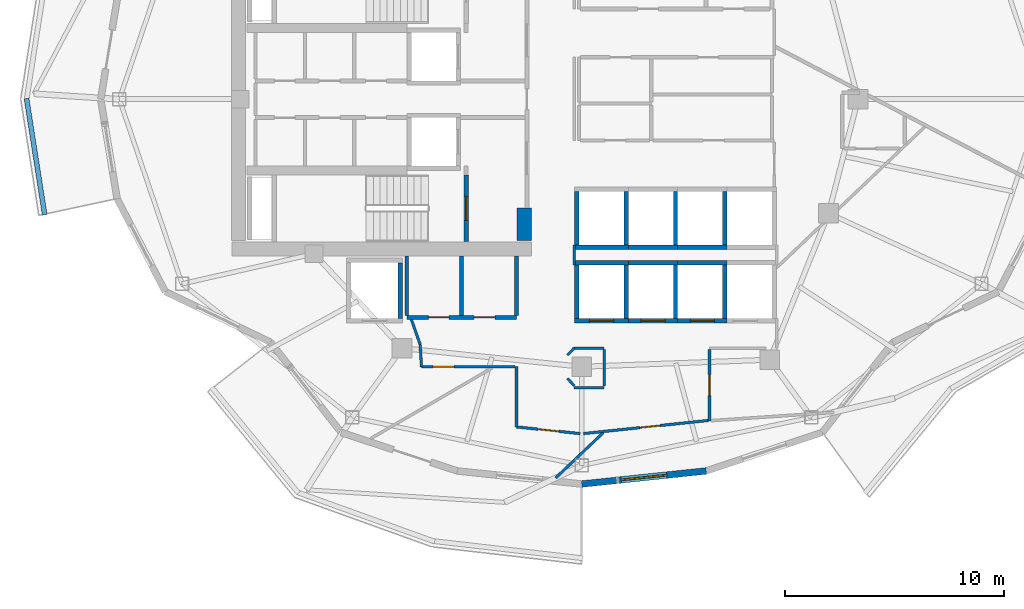
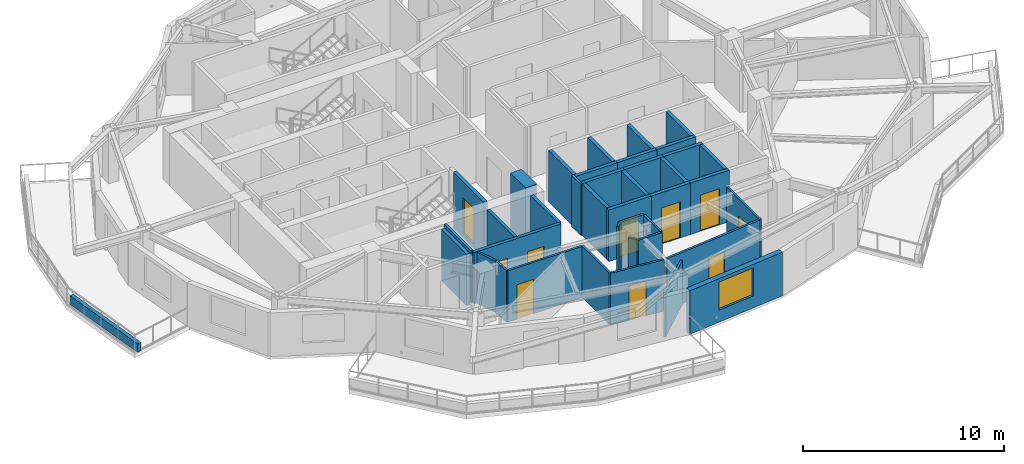
# One storey, part 3 of 10: 40 walls, 10 doors, 1 window, 11 openings.
"""IFC4 building model written with IfcOpenShell, lengths in metres."""

from ifc_helpers import new_model, si_unit, direction, frame, frame_2d, origin, place, context, subcontext, project, spatial, rectangle, extrude, material, layer, layer_set, type_object, element, fill, save


model = new_model("IFC4")

# Units and contexts
model_context = context("Model", 3, precision=1e-05, world=origin(), true_north=direction((0.0, 1.0)))
body_context = subcontext(model_context, "Body", "Model", "MODEL_VIEW")
ifc_project = project(units=[si_unit("LENGTHUNIT", "METRE"), si_unit("AREAUNIT", "SQUARE_METRE"), si_unit("VOLUMEUNIT", "CUBIC_METRE"), si_unit("PLANEANGLEUNIT", "RADIAN"), si_unit("MASSUNIT", "GRAM", prefix="KILO")], contexts=[model_context])

# Site, building, storey
site_placement = place(None, origin())
site = spatial("IfcSite", under=ifc_project, at=site_placement, CompositionType="ELEMENT")
building_placement = place(site_placement, origin())
building = spatial("IfcBuilding", under=site, at=building_placement, Name="Kolvaren Gate Tower and Convention Centre", CompositionType="ELEMENT")
storey_placement = place(building_placement, frame((0.0, 0.0, 152.89990234375)))
storey = spatial("IfcBuildingStorey", under=building, at=storey_placement, Name="L39", CompositionType="ELEMENT", Elevation=152.89990234375)

# Wall, openings, doors
ifc_material_1 = material(Name="Autoclaved Aerated Masonry Blockwork Class 4 (4.0 MPa)", Category="masonry")
ifc_layer_1 = layer(ifc_material_1, 0.179931640625)
ifc_layer_set_1 = layer_set([ifc_layer_1], Name="Autoclaved Aerated Masonry Blockwork Class 4 (4.0 MPa)")
wall_type_1 = type_object("IfcWallType", Name="ARCH-WL-COMP-180", PredefinedType="SOLIDWALL", material=ifc_layer_set_1)
wall_1_placement = place(storey_placement, frame((22.14990234375, 17.050048828125, 0.0), z_axis=(0.0, 0.0, 1.0), x_axis=(1.0, 0.0, 0.0)))
wall_1 = element("IfcWall", 1, at=wall_1_placement, inside=storey, type_object=wall_type_1, Name="Interior Partition WL-L39-INT-011", PredefinedType="SOLIDWALL", context=body_context, shape_type="SweptSolid", body=[
    extrude(rectangle(XDim=5.0, YDim=0.179931640625, at=frame_2d((2.5, 0.0))), origin(), (0.0, 0.0, 1.0), 3.130126953125),
])
opening_1_placement = place(wall_1_placement, frame((0.97998046875, 0.0, 0.0)))
opening_1 = element("IfcOpeningElement", 2, at=opening_1_placement, cuts=wall_1, Name="Opening DR-01", PredefinedType="OPENING", context=body_context, shape_type="SweptSolid", body=[
    extrude(rectangle(XDim=0.949951171875, YDim=2.10009765625, at=frame_2d((0.47509765625, 1.050048828125))), frame((0.0, 0.099853515625, 0.0), z_axis=(0.0, -1.0, 0.0), x_axis=(1.0, 0.0, 0.0)), (0.0, 0.0, 1.0), 0.199951171875),
])
opening_2_placement = place(wall_1_placement, frame((3.070068359375, 0.0, 0.0)))
opening_2 = element("IfcOpeningElement", 3, at=opening_2_placement, cuts=wall_1, Name="Opening DR-01", PredefinedType="OPENING", context=body_context, shape_type="SweptSolid", body=[
    extrude(rectangle(XDim=0.949951171875, YDim=2.10009765625, at=frame_2d((0.47509765625, 1.050048828125))), frame((0.0, 0.099853515625, 0.0), z_axis=(0.0, -1.0, 0.0), x_axis=(1.0, 0.0, 0.0)), (0.0, 0.0, 1.0), 0.199951171875),
])
ifc_material_2 = material(Name="Painted Architectural Steelwork ASTM A500 Grade C 345 MPa", Category="steel")
door_type_1 = type_object("IfcDoorType", Name="ARCH-DR-RISER-950", OperationType="SINGLE_SWING_RIGHT", PredefinedType="DOOR", material=ifc_material_2)
door_1_placement = place(opening_1_placement, origin())
door_1 = element("IfcDoor", 4, at=door_1_placement, inside=storey, type_object=door_type_1, Name="West Valet Store Door", OperationType="SINGLE_SWING_RIGHT", OverallHeight=2.10009765625, OverallWidth=0.949951171875, PredefinedType="DOOR", context=body_context, shape_type="SweptSolid", body=[
    extrude(rectangle(XDim=0.949951171875, YDim=2.10009765625, at=frame_2d((0.47509765625, 1.050048828125))), frame((0.0, 0.02490234375, 0.0), z_axis=(0.0, -1.0, 0.0), x_axis=(1.0, 0.0, 0.0)), (0.0, 0.0, 1.0), 0.050048828125),
])
fill(opening_1, door_1)
door_2_placement = place(opening_2_placement, origin())
door_2 = element("IfcDoor", 5, at=door_2_placement, inside=storey, type_object=door_type_1, Name="Metering Switch Room Door", OperationType="SINGLE_SWING_LEFT", OverallHeight=2.10009765625, OverallWidth=0.949951171875, PredefinedType="DOOR", context=body_context, shape_type="SweptSolid", body=[
    extrude(rectangle(XDim=0.949951171875, YDim=2.10009765625, at=frame_2d((0.47509765625, 1.050048828125))), frame((0.0, 0.02490234375, 0.0), z_axis=(0.0, -1.0, 0.0), x_axis=(1.0, 0.0, 0.0)), (0.0, 0.0, 1.0), 0.050048828125),
])
fill(opening_2, door_2)

# Walls
for number, where, z_axis, x_axis, name in (
    (6, (24.64990234375, 17.14208984375, 0.0), (0.0, 0.0, 1.0), (0.0, 1.0, 0.0), "Interior Partition WL-L39-INT-013"),
    (7, (27.14990234375, 17.14208984375, 0.0), (0.0, 0.0, 1.0), (0.0, 1.0, 0.0), "Interior Partition WL-L39-INT-015"),
):
    element("IfcWall", number, at=place(storey_placement, frame(where, z_axis=z_axis, x_axis=x_axis)), inside=storey, type_object=wall_type_1, Name=name, PredefinedType="SOLIDWALL", context=body_context, shape_type="SweptSolid", body=[
        extrude(rectangle(XDim=2.705810546875, YDim=0.179931640625, at=frame_2d((1.35302734375, 0.0))), origin(), (0.0, 0.0, 1.0), 3.130126953125),
    ])
ifc_material_3 = material(Name="Fire-Rated Acoustic Gypsum Stud Partition", Category="gypsum")
ifc_layer_2 = layer(ifc_material_3, 0.1201171875)
ifc_layer_set_2 = layer_set([ifc_layer_2], Name="Fire-Rated Acoustic Gypsum Stud Partition")
wall_type_2 = type_object("IfcWallType", Name="ARCH-WL-PART-120", PredefinedType="PARTITIONING", material=ifc_layer_set_2)
wall_2_placement = place(storey_placement, frame((27.14990234375, 12.055908203125, 0.0), z_axis=(0.0, 0.0, 1.0), x_axis=(0.0, 1.0, 0.0)))
element("IfcWall", 8, at=wall_2_placement, inside=storey, type_object=wall_type_2, Name="Interior Partition WL-L39-INT-014", PredefinedType="PARTITIONING", context=body_context, shape_type="SweptSolid", body=[
    extrude(rectangle(XDim=2.744140625, YDim=0.1201171875, at=frame_2d((1.3720703125, 0.0))), origin(), (0.0, 0.0, 1.0), 3.130126953125),
])
wall_3_placement = place(storey_placement, frame((29.780029296875, 15.64990234375, 0.0), z_axis=(0.0, 0.0, 1.0), x_axis=(1.0, 0.0, 0.0)))
element("IfcWall", 9, at=wall_3_placement, inside=storey, type_object=wall_type_2, Name="Interior Partition WL-L39-INT-030", PredefinedType="PARTITIONING", context=body_context, shape_type="SweptSolid", body=[
    extrude(rectangle(XDim=1.369873046875, YDim=0.1201171875, at=frame_2d((0.68505859375, 0.0))), origin(), (0.0, 0.0, 1.0), 3.130126953125),
])

# Wall, opening, door
wall_4_placement = place(storey_placement, frame((35.949951171875, 12.3359375, 0.0), z_axis=(0.0, 0.0, 1.0), x_axis=(0.0, 1.0, 0.0)))
wall_4 = element("IfcWall", 10, at=wall_4_placement, inside=storey, type_object=wall_type_2, Name="Interior Partition WL-L39-INT-032", PredefinedType="PARTITIONING", context=body_context, shape_type="SweptSolid", body=[
    extrude(rectangle(XDim=3.251953125, YDim=0.1201171875, at=frame_2d((1.6259765625, 0.0))), origin(), (0.0, 0.0, 1.0), 3.130126953125),
])
opening_3_placement = place(wall_4_placement, frame((1.15087890625, 0.0, 0.0)))
opening_3 = element("IfcOpeningElement", 11, at=opening_3_placement, cuts=wall_4, Name="Opening DR-01", PredefinedType="OPENING", context=body_context, shape_type="SweptSolid", body=[
    extrude(rectangle(XDim=0.949951171875, YDim=2.10009765625, at=frame_2d((0.47509765625, 1.050048828125))), frame((0.0, 0.070068359375, 0.0), z_axis=(0.0, -1.0, 0.0), x_axis=(1.0, 0.0, 0.0)), (0.0, 0.0, 1.0), 0.14013671875),
])
door_3_placement = place(opening_3_placement, origin())
door_3 = element("IfcDoor", 12, at=door_3_placement, inside=storey, type_object=door_type_1, Name="Hotel Seminar Conference Room Door", OperationType="SINGLE_SWING_LEFT", OverallHeight=2.10009765625, OverallWidth=0.949951171875, PredefinedType="DOOR", context=body_context, shape_type="SweptSolid", body=[
    extrude(rectangle(XDim=0.949951171875, YDim=2.10009765625, at=frame_2d((0.47509765625, 1.050048828125))), frame((0.0, 0.02490234375, 0.0), z_axis=(0.0, -1.0, 0.0), x_axis=(1.0, 0.0, 0.0)), (0.0, 0.0, 1.0), 0.050048828125),
])
fill(opening_3, door_3)

wall_5_placement = place(storey_placement, frame((30.195068359375, 11.75, 0.0), z_axis=(0.0, 0.0, 1.0), x_axis=(0.994498907508, 0.104746947287, 0.0)))
wall_5 = element("IfcWall", 13, at=wall_5_placement, inside=storey, type_object=wall_type_2, Name="Interior Partition WL-L39-INT-033", PredefinedType="PARTITIONING", context=body_context, shape_type="SweptSolid", body=[
    extrude(rectangle(XDim=5.724365234375, YDim=0.1201171875, at=frame_2d((2.8623046875, 0.0))), origin(), (0.0, 0.0, 1.0), 3.130126953125),
])
opening_4_placement = place(wall_5_placement, frame((2.59423828125, 0.0, 0.0)))
opening_4 = element("IfcOpeningElement", 14, at=opening_4_placement, cuts=wall_5, Name="Opening DR-01", PredefinedType="OPENING", context=body_context, shape_type="SweptSolid", body=[
    extrude(rectangle(XDim=0.949951171875, YDim=2.10009765625, at=frame_2d((0.47509765625, 1.050048828125))), frame((0.0, 0.070068359375, 0.0), z_axis=(0.0, -1.0, 0.0), x_axis=(1.0, 0.0, 0.0)), (0.0, 0.0, 1.0), 0.14013671875),
])
door_4_placement = place(opening_4_placement, origin())
door_4 = element("IfcDoor", 15, at=door_4_placement, inside=storey, type_object=door_type_1, Name="Consultation Meeting Room Door", OperationType="SINGLE_SWING_RIGHT", OverallHeight=2.10009765625, OverallWidth=0.949951171875, PredefinedType="DOOR", context=body_context, shape_type="SweptSolid", body=[
    extrude(rectangle(XDim=0.949951171875, YDim=2.10009765625, at=frame_2d((0.47509765625, 1.050048828125))), frame((0.0, 0.02490234375, 0.0), z_axis=(0.0, -1.0, 0.0), x_axis=(1.0, 0.0, 0.0)), (0.0, 0.0, 1.0), 0.050048828125),
])
fill(opening_4, door_4)

wall_6_placement = place(storey_placement, frame((27.14990234375, 12.055908203125, 0.0), z_axis=(0.0, 0.0, 1.0), x_axis=(0.994501330468, -0.104723940422, 0.0)))
wall_6 = element("IfcWall", 16, at=wall_6_placement, inside=storey, type_object=wall_type_2, Name="Interior Partition WL-L39-INT-034", PredefinedType="PARTITIONING", context=body_context, shape_type="SweptSolid", body=[
    extrude(rectangle(XDim=2.921142578125, YDim=0.1201171875, at=frame_2d((1.46044921875, 0.0))), origin(), (0.0, 0.0, 1.0), 3.130126953125),
])
opening_5_placement = place(wall_6_placement, frame((0.985595703125, 0.0, 0.0)))
opening_5 = element("IfcOpeningElement", 17, at=opening_5_placement, cuts=wall_6, Name="Opening DR-01", PredefinedType="OPENING", context=body_context, shape_type="SweptSolid", body=[
    extrude(rectangle(XDim=0.949951171875, YDim=2.10009765625, at=frame_2d((0.47509765625, 1.050048828125))), frame((0.0, 0.070068359375, 0.0), z_axis=(0.0, -1.0, 0.0), x_axis=(1.0, 0.0, 0.0)), (0.0, 0.0, 1.0), 0.14013671875),
])
door_5_placement = place(opening_5_placement, origin())
door_5 = element("IfcDoor", 18, at=door_5_placement, inside=storey, type_object=door_type_1, Name="Hotel Seminar Conference Room Door", OperationType="SINGLE_SWING_LEFT", OverallHeight=2.10009765625, OverallWidth=0.949951171875, PredefinedType="DOOR", context=body_context, shape_type="SweptSolid", body=[
    extrude(rectangle(XDim=0.949951171875, YDim=2.10009765625, at=frame_2d((0.47509765625, 1.050048828125))), frame((0.0, 0.02490234375, 0.0), z_axis=(0.0, -1.0, 0.0), x_axis=(1.0, 0.0, 0.0)), (0.0, 0.0, 1.0), 0.050048828125),
])
fill(opening_5, door_5)

wall_7_placement = place(storey_placement, frame((22.81396484375, 14.800048828125, 0.0), z_axis=(0.0, 0.0, 1.0), x_axis=(1.0, 0.0, 0.0)))
wall_7 = element("IfcWall", 19, at=wall_7_placement, inside=storey, type_object=wall_type_2, Name="Interior Partition WL-L39-INT-035", PredefinedType="PARTITIONING", context=body_context, shape_type="SweptSolid", body=[
    extrude(rectangle(XDim=4.27392578125, YDim=0.1201171875, at=frame_2d((2.136962890625, 0.0))), origin(), (0.0, 0.0, 1.0), 3.130126953125),
])
opening_6_placement = place(wall_7_placement, frame((0.52880859375, 0.0, 0.0)))
opening_6 = element("IfcOpeningElement", 20, at=opening_6_placement, cuts=wall_7, Name="Opening DR-01", PredefinedType="OPENING", context=body_context, shape_type="SweptSolid", body=[
    extrude(rectangle(XDim=0.949951171875, YDim=2.10009765625, at=frame_2d((0.47509765625, 1.050048828125))), frame((0.0, 0.070068359375, 0.0), z_axis=(0.0, -1.0, 0.0), x_axis=(1.0, 0.0, 0.0)), (0.0, 0.0, 1.0), 0.14013671875),
])
door_6_placement = place(opening_6_placement, origin())
door_6 = element("IfcDoor", 21, at=door_6_placement, inside=storey, type_object=door_type_1, Name="Hotel Seminar Conference Room Door", OperationType="SINGLE_SWING_RIGHT", OverallHeight=2.10009765625, OverallWidth=0.949951171875, PredefinedType="DOOR", context=body_context, shape_type="SweptSolid", body=[
    extrude(rectangle(XDim=0.949951171875, YDim=2.10009765625, at=frame_2d((0.47509765625, 1.050048828125))), frame((0.0, 0.02490234375, 0.0), z_axis=(0.0, -1.0, 0.0), x_axis=(1.0, 0.0, 0.0)), (0.0, 0.0, 1.0), 0.050048828125),
])
fill(opening_6, door_6)

# Walls
wall_8_placement = place(storey_placement, frame((22.756103515625, 15.81103515625, 0.0), z_axis=(0.0, 0.0, 1.0), x_axis=(0.057139047697, -0.998366230012, 0.0)))
element("IfcWall", 22, at=wall_8_placement, inside=storey, type_object=wall_type_2, Name="Interior Partition WL-L39-INT-036", PredefinedType="PARTITIONING", context=body_context, shape_type="SweptSolid", body=[
    extrude(rectangle(XDim=1.0126953125, YDim=0.1201171875, at=frame_2d((0.50634765625, 0.0))), origin(), (0.0, 0.0, 1.0), 3.130126953125),
])
wall_9_placement = place(storey_placement, frame((22.353271484375, 16.9580078125, 0.0), z_axis=(0.0, 0.0, 1.0), x_axis=(0.331370038458, -0.943500873138, 0.0)))
element("IfcWall", 23, at=wall_9_placement, inside=storey, type_object=wall_type_2, Name="Interior Partition WL-L39-INT-037", PredefinedType="PARTITIONING", context=body_context, shape_type="SweptSolid", body=[
    extrude(rectangle(XDim=1.215576171875, YDim=0.1201171875, at=frame_2d((0.60791015625, 0.0))), origin(), (0.0, 0.0, 1.0), 3.130126953125),
])
wall_10_placement = place(storey_placement, frame((29.780029296875, 19.43994140625, 0.0), z_axis=(0.0, 0.0, 1.0), x_axis=(0.0, 1.0, 0.0)))
element("IfcWall", 24, at=wall_10_placement, inside=storey, type_object=wall_type_2, Name="Interior Partition WL-L39-INT-040", PredefinedType="PARTITIONING", context=body_context, shape_type="SweptSolid", body=[
    extrude(rectangle(XDim=0.920166015625, YDim=0.1201171875, at=frame_2d((0.4599609375, 0.0))), origin(), (0.0, 0.0, 1.0), 3.130126953125),
])
wall_11_placement = place(storey_placement, frame((29.47607421875, 15.3330078125, 0.0), z_axis=(0.0, 0.0, 1.0), x_axis=(0.692219273951, 0.721687243043, 0.0)))
element("IfcWall", 25, at=wall_11_placement, inside=storey, type_object=wall_type_2, Name="Interior Partition WL-L39-INT-051", PredefinedType="PARTITIONING", context=body_context, shape_type="SweptSolid", body=[
    extrude(rectangle(XDim=0.439208984375, YDim=0.1201171875, at=frame_2d((0.2197265625, 0.0))), origin(), (0.0, 0.0, 1.0), 3.130126953125),
])
wall_12_placement = place(storey_placement, frame((29.47607421875, 14.26708984375, 0.0), z_axis=(0.0, 0.0, 1.0), x_axis=(0.670659392016, -0.741765448037, 0.0)))
element("IfcWall", 26, at=wall_12_placement, inside=storey, type_object=wall_type_2, Name="Interior Partition WL-L39-INT-052", PredefinedType="PARTITIONING", context=body_context, shape_type="SweptSolid", body=[
    extrude(rectangle(XDim=0.453125, YDim=0.1201171875, at=frame_2d((0.2265625, 0.0))), origin(), (0.0, 0.0, 1.0), 3.130126953125),
])
wall_13_placement = place(storey_placement, frame((29.780029296875, 13.85009765625, 0.0), z_axis=(0.0, 0.0, 1.0), x_axis=(1.0, 0.0, 0.0)))
element("IfcWall", 27, at=wall_13_placement, inside=storey, type_object=wall_type_2, Name="Interior Partition WL-L39-INT-053", PredefinedType="PARTITIONING", context=body_context, shape_type="SweptSolid", body=[
    extrude(rectangle(XDim=1.369873046875, YDim=0.1201171875, at=frame_2d((0.68505859375, 0.0))), origin(), (0.0, 0.0, 1.0), 3.130126953125),
])
wall_14_placement = place(storey_placement, frame((31.14990234375, 13.912109375, 0.0), z_axis=(0.0, 0.0, 1.0), x_axis=(0.0, 1.0, 0.0)))
element("IfcWall", 28, at=wall_14_placement, inside=storey, type_object=wall_type_2, Name="Interior Partition WL-L39-INT-054", PredefinedType="PARTITIONING", context=body_context, shape_type="SweptSolid", body=[
    extrude(rectangle(XDim=1.67578125, YDim=0.1201171875, at=frame_2d((0.837890625, 0.0))), origin(), (0.0, 0.0, 1.0), 3.130126953125),
])
wall_15_placement = place(storey_placement, frame((28.9345703125, 9.728271484375, 0.0), z_axis=(0.0, 0.0, 1.0), x_axis=(0.724541098321, 0.689231598843, 0.0)))
element("IfcWall", 29, at=wall_15_placement, inside=storey, type_object=wall_type_2, Name="Interior Partition WL-L39-INT-058", PredefinedType="PARTITIONING", context=body_context, shape_type="SweptSolid", body=[
    extrude(rectangle(XDim=2.97998046875, YDim=0.1201171875, at=frame_2d((1.489990234375, 0.0))), origin(), (0.0, 0.0, 1.0), 2.70263671875),
])
ifc_material_4 = material(Name="Piedmont Cream Honed Limestone Cladding", Category="masonry")
ifc_layer_3 = layer(ifc_material_4, 0.219970703125)
ifc_layer_set_3 = layer_set([ifc_layer_3], Name="Piedmont Cream Honed Limestone Cladding")
wall_type_3 = type_object("IfcWallType", Name="ARCH-WL-PLANTER-220", PredefinedType="PARAPET", material=ifc_layer_set_3)
wall_16_placement = place(storey_placement, frame((4.805908203125, 27.029296875, 0.0), z_axis=(0.0, 0.0, 1.0), x_axis=(0.154245214003, -0.988032597619, 0.0)))
element("IfcWall", 30, at=wall_16_placement, inside=storey, type_object=wall_type_3, Name="Vertical-Forest Balcony Stone Planter Kerb PK-L39-2.3", PredefinedType="PARAPET", context=body_context, shape_type="SweptSolid", body=[
    extrude(rectangle(XDim=5.37353515625, YDim=0.219970703125, at=frame_2d((2.686767578125, 0.0))), origin(), (0.0, 0.0, 1.0), 0.52001953125),
])
ifc_layer_4 = layer(ifc_material_1, 0.199951171875)
ifc_layer_set_4 = layer_set([ifc_layer_4], Name="Autoclaved Aerated Masonry Blockwork Class 4 (4.0 MPa)")
wall_type_4 = type_object("IfcWallType", Name="ARCH-WL-SHAFT-200", PredefinedType="SOLIDWALL", material=ifc_layer_set_4)
wall_17_placement = place(storey_placement, frame((21.85009765625, 17.010009765625, 0.0), z_axis=(0.0, 0.0, 1.0), x_axis=(0.0, 1.0, 0.0)))
element("IfcWall", 31, at=wall_17_placement, inside=storey, type_object=wall_type_4, Name="Elevator SV-01 L39 Fire Shaft Wall E", PredefinedType="SOLIDWALL", context=body_context, shape_type="SweptSolid", body=[
    extrude(rectangle(XDim=2.530029296875, YDim=0.199951171875, at=frame_2d((1.26513671875, 0.0))), origin(), (0.0, 0.0, 1.0), 3.130126953125),
])
wall_18_placement = place(storey_placement, frame((29.800048828125, 19.550048828125, 0.0), z_axis=(0.0, 0.0, 1.0), x_axis=(1.0, 0.0, 0.0)))
element("IfcWall", 32, at=wall_18_placement, inside=storey, type_object=wall_type_4, Name="Elevator PL-05 L39 Fire Shaft Wall N", PredefinedType="SOLIDWALL", context=body_context, shape_type="SweptSolid", body=[
    extrude(rectangle(XDim=2.449951171875, YDim=0.199951171875, at=frame_2d((1.22509765625, 0.0))), origin(), (0.0, 0.0, 1.0), 3.130126953125),
])

# Wall, opening, door
wall_19_placement = place(storey_placement, frame((29.800048828125, 16.89990234375, 0.0), z_axis=(0.0, 0.0, 1.0), x_axis=(1.0, 0.0, 0.0)))
wall_19 = element("IfcWall", 33, at=wall_19_placement, inside=storey, type_object=wall_type_4, Name="Elevator PL-05 L39 Fire Shaft Wall S", PredefinedType="SOLIDWALL", context=body_context, shape_type="SweptSolid", body=[
    extrude(rectangle(XDim=2.449951171875, YDim=0.199951171875, at=frame_2d((1.22509765625, 0.0))), origin(), (0.0, 0.0, 1.0), 3.130126953125),
])
opening_7_placement = place(wall_19_placement, frame((0.675048828125, 0.0, 0.0)))
opening_7 = element("IfcOpeningElement", 34, at=opening_7_placement, cuts=wall_19, Name="Opening LD", PredefinedType="OPENING", context=body_context, shape_type="SweptSolid", body=[
    extrude(rectangle(XDim=1.10009765625, YDim=2.199951171875, at=frame_2d((0.550048828125, 1.10009765625))), frame((0.0, 0.10986328125, 0.0), z_axis=(0.0, -1.0, 0.0), x_axis=(1.0, 0.0, 0.0)), (0.0, 0.0, 1.0), 0.219970703125),
])
ifc_material_5 = material(Name="Brushed Stainless Steel Grade 316L", Category="steel")
door_type_2 = type_object("IfcDoorType", Name="ARCH-DR-LIFT-1100", OperationType="SLIDING_TO_LEFT", PredefinedType="DOOR", material=ifc_material_5)
door_7_placement = place(opening_7_placement, origin())
door_7 = element("IfcDoor", 35, at=door_7_placement, inside=storey, type_object=door_type_2, Name="Elevator PL-05 L39 Sliding Landing Door", OperationType="SLIDING_TO_LEFT", OverallHeight=2.199951171875, OverallWidth=1.10009765625, PredefinedType="DOOR", context=body_context, shape_type="SweptSolid", body=[
    extrude(rectangle(XDim=1.10009765625, YDim=2.199951171875, at=frame_2d((0.550048828125, 1.10009765625))), frame((0.0, 0.02490234375, 0.0), z_axis=(0.0, -1.0, 0.0), x_axis=(1.0, 0.0, 0.0)), (0.0, 0.0, 1.0), 0.050048828125),
])
fill(opening_7, door_7)

# Walls
for number, where, z_axis, x_axis, name in (
    (36, (29.89990234375, 17.010009765625, 0.0), (0.0, 0.0, 1.0), (0.0, 1.0, 0.0), "Elevator PL-05 L39 Fire Shaft Wall W"),
    (37, (32.14990234375, 17.010009765625, 0.0), (0.0, 0.0, 1.0), (0.0, 1.0, 0.0), "Elevator PL-05 L39 Fire Shaft Wall E"),
):
    element("IfcWall", number, at=place(storey_placement, frame(where, z_axis=z_axis, x_axis=x_axis)), inside=storey, type_object=wall_type_4, Name=name, PredefinedType="SOLIDWALL", context=body_context, shape_type="SweptSolid", body=[
        extrude(rectangle(XDim=2.429931640625, YDim=0.199951171875, at=frame_2d((1.21484375, 0.0))), origin(), (0.0, 0.0, 1.0), 3.130126953125),
    ])
wall_20_placement = place(storey_placement, frame((32.25, 19.550048828125, 0.0), z_axis=(0.0, 0.0, 1.0), x_axis=(1.0, 0.0, 0.0)))
element("IfcWall", 38, at=wall_20_placement, inside=storey, type_object=wall_type_4, Name="Elevator PL-06 L39 Fire Shaft Wall N", PredefinedType="SOLIDWALL", context=body_context, shape_type="SweptSolid", body=[
    extrude(rectangle(XDim=2.25, YDim=0.199951171875, at=frame_2d((1.125, 0.0))), origin(), (0.0, 0.0, 1.0), 3.130126953125),
])

# Wall, opening, door
wall_21_placement = place(storey_placement, frame((32.25, 16.89990234375, 0.0), z_axis=(0.0, 0.0, 1.0), x_axis=(1.0, 0.0, 0.0)))
wall_21 = element("IfcWall", 39, at=wall_21_placement, inside=storey, type_object=wall_type_4, Name="Elevator PL-06 L39 Fire Shaft Wall S", PredefinedType="SOLIDWALL", context=body_context, shape_type="SweptSolid", body=[
    extrude(rectangle(XDim=2.25, YDim=0.199951171875, at=frame_2d((1.125, 0.0))), origin(), (0.0, 0.0, 1.0), 3.130126953125),
])
opening_8_placement = place(wall_21_placement, frame((0.574951171875, 0.0, 0.0)))
opening_8 = element("IfcOpeningElement", 40, at=opening_8_placement, cuts=wall_21, Name="Opening LD", PredefinedType="OPENING", context=body_context, shape_type="SweptSolid", body=[
    extrude(rectangle(XDim=1.10009765625, YDim=2.199951171875, at=frame_2d((0.550048828125, 1.10009765625))), frame((0.0, 0.10986328125, 0.0), z_axis=(0.0, -1.0, 0.0), x_axis=(1.0, 0.0, 0.0)), (0.0, 0.0, 1.0), 0.219970703125),
])
door_8_placement = place(opening_8_placement, origin())
door_8 = element("IfcDoor", 41, at=door_8_placement, inside=storey, type_object=door_type_2, Name="Elevator PL-06 L39 Sliding Landing Door", OperationType="SLIDING_TO_LEFT", OverallHeight=2.199951171875, OverallWidth=1.10009765625, PredefinedType="DOOR", context=body_context, shape_type="SweptSolid", body=[
    extrude(rectangle(XDim=1.10009765625, YDim=2.199951171875, at=frame_2d((0.550048828125, 1.10009765625))), frame((0.0, 0.02490234375, 0.0), z_axis=(0.0, -1.0, 0.0), x_axis=(1.0, 0.0, 0.0)), (0.0, 0.0, 1.0), 0.050048828125),
])
fill(opening_8, door_8)

# Walls
wall_22_placement = place(storey_placement, frame((34.39990234375, 17.010009765625, 0.0), z_axis=(0.0, 0.0, 1.0), x_axis=(0.0, 1.0, 0.0)))
element("IfcWall", 42, at=wall_22_placement, inside=storey, type_object=wall_type_4, Name="Elevator PL-06 L39 Fire Shaft Wall E", PredefinedType="SOLIDWALL", context=body_context, shape_type="SweptSolid", body=[
    extrude(rectangle(XDim=2.429931640625, YDim=0.199951171875, at=frame_2d((1.21484375, 0.0))), origin(), (0.0, 0.0, 1.0), 3.130126953125),
])
wall_23_placement = place(storey_placement, frame((34.5, 19.550048828125, 0.0), z_axis=(0.0, 0.0, 1.0), x_axis=(1.0, 0.0, 0.0)))
element("IfcWall", 43, at=wall_23_placement, inside=storey, type_object=wall_type_4, Name="Elevator PL-07 L39 Fire Shaft Wall N", PredefinedType="SOLIDWALL", context=body_context, shape_type="SweptSolid", body=[
    extrude(rectangle(XDim=2.25, YDim=0.199951171875, at=frame_2d((1.125, 0.0))), origin(), (0.0, 0.0, 1.0), 3.130126953125),
])

# Wall, opening, door
wall_24_placement = place(storey_placement, frame((34.5, 16.89990234375, 0.0), z_axis=(0.0, 0.0, 1.0), x_axis=(1.0, 0.0, 0.0)))
wall_24 = element("IfcWall", 44, at=wall_24_placement, inside=storey, type_object=wall_type_4, Name="Elevator PL-07 L39 Fire Shaft Wall S", PredefinedType="SOLIDWALL", context=body_context, shape_type="SweptSolid", body=[
    extrude(rectangle(XDim=2.25, YDim=0.199951171875, at=frame_2d((1.125, 0.0))), origin(), (0.0, 0.0, 1.0), 3.130126953125),
])
opening_9_placement = place(wall_24_placement, frame((0.574951171875, 0.0, 0.0)))
opening_9 = element("IfcOpeningElement", 45, at=opening_9_placement, cuts=wall_24, Name="Opening LD", PredefinedType="OPENING", context=body_context, shape_type="SweptSolid", body=[
    extrude(rectangle(XDim=1.10009765625, YDim=2.199951171875, at=frame_2d((0.550048828125, 1.10009765625))), frame((0.0, 0.10986328125, 0.0), z_axis=(0.0, -1.0, 0.0), x_axis=(1.0, 0.0, 0.0)), (0.0, 0.0, 1.0), 0.219970703125),
])
door_9_placement = place(opening_9_placement, origin())
door_9 = element("IfcDoor", 46, at=door_9_placement, inside=storey, type_object=door_type_2, Name="Elevator PL-07 L39 Sliding Landing Door", OperationType="SLIDING_TO_LEFT", OverallHeight=2.199951171875, OverallWidth=1.10009765625, PredefinedType="DOOR", context=body_context, shape_type="SweptSolid", body=[
    extrude(rectangle(XDim=1.10009765625, YDim=2.199951171875, at=frame_2d((0.550048828125, 1.10009765625))), frame((0.0, 0.02490234375, 0.0), z_axis=(0.0, -1.0, 0.0), x_axis=(1.0, 0.0, 0.0)), (0.0, 0.0, 1.0), 0.050048828125),
])
fill(opening_9, door_9)

# Walls
wall_25_placement = place(storey_placement, frame((36.64990234375, 17.010009765625, 0.0), z_axis=(0.0, 0.0, 1.0), x_axis=(0.0, 1.0, 0.0)))
element("IfcWall", 47, at=wall_25_placement, inside=storey, type_object=wall_type_4, Name="Elevator PL-07 L39 Fire Shaft Wall E", PredefinedType="SOLIDWALL", context=body_context, shape_type="SweptSolid", body=[
    extrude(rectangle(XDim=2.429931640625, YDim=0.199951171875, at=frame_2d((1.21484375, 0.0))), origin(), (0.0, 0.0, 1.0), 3.130126953125),
])
wall_26_placement = place(storey_placement, frame((29.800048828125, 20.25, 0.0), z_axis=(0.0, 0.0, 1.0), x_axis=(1.0, 0.0, 0.0)))
element("IfcWall", 48, at=wall_26_placement, inside=storey, type_object=wall_type_4, Name="Elevator PL-09 L39 Fire Shaft Wall S", PredefinedType="SOLIDWALL", context=body_context, shape_type="SweptSolid", body=[
    extrude(rectangle(XDim=2.449951171875, YDim=0.199951171875, at=frame_2d((1.22509765625, 0.0))), origin(), (0.0, 0.0, 1.0), 3.130126953125),
])
for number, where, z_axis, x_axis, name in (
    (49, (29.89990234375, 20.360107421875, 0.0), (0.0, 0.0, 1.0), (0.0, 1.0, 0.0), "Elevator PL-09 L39 Fire Shaft Wall W"),
    (50, (32.14990234375, 20.360107421875, 0.0), (0.0, 0.0, 1.0), (0.0, 1.0, 0.0), "Elevator PL-09 L39 Fire Shaft Wall E"),
):
    element("IfcWall", number, at=place(storey_placement, frame(where, z_axis=z_axis, x_axis=x_axis)), inside=storey, type_object=wall_type_4, Name=name, PredefinedType="SOLIDWALL", context=body_context, shape_type="SweptSolid", body=[
        extrude(rectangle(XDim=2.429931640625, YDim=0.199951171875, at=frame_2d((1.21484375, 0.0))), origin(), (0.0, 0.0, 1.0), 3.130126953125),
    ])
wall_27_placement = place(storey_placement, frame((32.25, 20.25, 0.0), z_axis=(0.0, 0.0, 1.0), x_axis=(1.0, 0.0, 0.0)))
element("IfcWall", 51, at=wall_27_placement, inside=storey, type_object=wall_type_4, Name="Elevator PL-10 L39 Fire Shaft Wall S", PredefinedType="SOLIDWALL", context=body_context, shape_type="SweptSolid", body=[
    extrude(rectangle(XDim=2.25, YDim=0.199951171875, at=frame_2d((1.125, 0.0))), origin(), (0.0, 0.0, 1.0), 3.130126953125),
])
wall_28_placement = place(storey_placement, frame((34.39990234375, 20.360107421875, 0.0), z_axis=(0.0, 0.0, 1.0), x_axis=(0.0, 1.0, 0.0)))
element("IfcWall", 52, at=wall_28_placement, inside=storey, type_object=wall_type_4, Name="Elevator PL-10 L39 Fire Shaft Wall E", PredefinedType="SOLIDWALL", context=body_context, shape_type="SweptSolid", body=[
    extrude(rectangle(XDim=2.429931640625, YDim=0.199951171875, at=frame_2d((1.21484375, 0.0))), origin(), (0.0, 0.0, 1.0), 3.130126953125),
])
wall_29_placement = place(storey_placement, frame((34.5, 20.25, 0.0), z_axis=(0.0, 0.0, 1.0), x_axis=(1.0, 0.0, 0.0)))
element("IfcWall", 53, at=wall_29_placement, inside=storey, type_object=wall_type_4, Name="Elevator PL-11 L39 Fire Shaft Wall S", PredefinedType="SOLIDWALL", context=body_context, shape_type="SweptSolid", body=[
    extrude(rectangle(XDim=2.25, YDim=0.199951171875, at=frame_2d((1.125, 0.0))), origin(), (0.0, 0.0, 1.0), 3.130126953125),
])
wall_30_placement = place(storey_placement, frame((36.64990234375, 20.360107421875, 0.0), z_axis=(0.0, 0.0, 1.0), x_axis=(0.0, 1.0, 0.0)))
element("IfcWall", 54, at=wall_30_placement, inside=storey, type_object=wall_type_4, Name="Elevator PL-11 L39 Fire Shaft Wall E", PredefinedType="SOLIDWALL", context=body_context, shape_type="SweptSolid", body=[
    extrude(rectangle(XDim=2.429931640625, YDim=0.199951171875, at=frame_2d((1.21484375, 0.0))), origin(), (0.0, 0.0, 1.0), 3.130126953125),
])

# Wall, opening, window
ifc_layer_5 = layer(ifc_material_4, 0.300048828125)
ifc_layer_set_5 = layer_set([ifc_layer_5], Name="Piedmont Cream Honed Limestone Cladding")
wall_type_5 = type_object("IfcWallType", Name="ARCH-WL-STONE-300", PredefinedType="SOLIDWALL", material=ifc_layer_set_5)
wall_31_placement = place(storey_placement, frame((30.125, 9.449951171875, 0.0), z_axis=(0.0, 0.0, 1.0), x_axis=(0.994496545245, 0.104769372887, 0.0)))
wall_31 = element("IfcWall", 55, at=wall_31_placement, inside=storey, type_object=wall_type_5, Name="Tower L39 Honed Stone Spandrel Wall EW-18", PredefinedType="SOLIDWALL", context=body_context, shape_type="SweptSolid", body=[
    extrude(rectangle(XDim=5.709228515625, YDim=0.300048828125, at=frame_2d((2.8544921875, 0.0))), origin(), (0.0, 0.0, 1.0), 2.653076171875),
])
opening_10_placement = place(wall_31_placement, frame((1.804931640625, 0.0, 0.739990234375)))
opening_10 = element("IfcOpeningElement", 56, at=opening_10_placement, cuts=wall_31, Name="Opening W-02", PredefinedType="OPENING", context=body_context, shape_type="SweptSolid", body=[
    extrude(rectangle(XDim=2.10009765625, YDim=1.699951171875, at=frame_2d((1.050048828125, 0.85009765625))), frame((0.0, 0.159912109375, 0.0), z_axis=(0.0, -1.0, 0.0), x_axis=(1.0, 0.0, 0.0)), (0.0, 0.0, 1.0), 0.320068359375),
])
ifc_material_6 = material(Name="Low-E Triple Insulated Glazing Unit 44 mm", Category="glass")
window_type = type_object("IfcWindowType", Name="ARCH-WN-HTL-2100", PartitioningType="SINGLE_PANEL", PredefinedType="WINDOW", material=ifc_material_6)
window_placement = place(opening_10_placement, origin())
window = element("IfcWindow", 57, at=window_placement, inside=storey, type_object=window_type, Name="Tower L39 Punched Stone Facade Window W-18", OverallHeight=1.699951171875, OverallWidth=2.10009765625, PartitioningType="SINGLE_PANEL", PredefinedType="WINDOW", context=body_context, shape_type="SweptSolid", body=[
    extrude(rectangle(XDim=2.10009765625, YDim=1.699951171875, at=frame_2d((1.050048828125, 0.85009765625))), frame((0.0, 0.030029296875, 0.0), z_axis=(0.0, -1.0, 0.0), x_axis=(1.0, 0.0, 0.0)), (0.0, 0.0, 1.0), 0.06005859375),
])
fill(opening_10, window)

# Walls
ifc_material_7 = material(Name="Moisture-Resistant Cement-Board Acoustic Partition", Category="gypsum")
ifc_layer_6 = layer(ifc_material_7, 0.14990234375)
ifc_layer_set_6 = layer_set([ifc_layer_6], Name="Moisture-Resistant Cement-Board Acoustic Partition")
wall_type_6 = type_object("IfcWallType", Name="ARCH-WL-WET-150", PredefinedType="PARTITIONING", material=ifc_layer_set_6)
wall_32_placement = place(storey_placement, frame((22.14990234375, 17.14208984375, 0.0), z_axis=(0.0, 0.0, 1.0), x_axis=(0.0, 1.0, 0.0)))
element("IfcWall", 58, at=wall_32_placement, inside=storey, type_object=wall_type_6, Name="Interior Partition WL-L39-INT-012", PredefinedType="PARTITIONING", context=body_context, shape_type="SweptSolid", body=[
    extrude(rectangle(XDim=2.705810546875, YDim=0.14990234375, at=frame_2d((1.35302734375, 0.0))), origin(), (0.0, 0.0, 1.0), 3.130126953125),
])
ifc_material_8 = material(Name="Concrete C60/75", Category="concrete")
ifc_layer_7 = layer(ifc_material_8, 0.64990234375)
ifc_layer_set_7 = layer_set([ifc_layer_7], Name="Concrete C60/75")
wall_type_7 = type_object("IfcWallType", Name="STR-WL-CORE-650", PredefinedType="SHEAR", material=ifc_layer_set_7)
wall_33_placement = place(storey_placement, frame((27.5, 20.550048828125, -0.27001953125), z_axis=(0.0, 0.0, 1.0), x_axis=(0.0, 1.0, 0.0)))
element("IfcWall", 59, at=wall_33_placement, inside=storey, type_object=wall_type_7, Name="Tower L39 Offset Core Shear Wall ES", PredefinedType="SHEAR", context=body_context, shape_type="SweptSolid", body=[
    extrude(rectangle(XDim=1.5, YDim=0.64990234375, at=frame_2d((0.75, 0.0))), origin(), (0.0, 0.0, 1.0), 3.400146484375),
])

# Wall, opening, door
ifc_material_9 = material(Name="Concrete C50/60", Category="concrete")
ifc_layer_8 = layer(ifc_material_9, 0.199951171875)
ifc_layer_set_8 = layer_set([ifc_layer_8], Name="Concrete C50/60")
wall_type_8 = type_object("IfcWallType", Name="STR-WL-SHAFT-200", PredefinedType="SHEAR", material=ifc_layer_set_8)
wall_34_placement = place(storey_placement, frame((24.85009765625, 20.501953125, -0.27001953125), z_axis=(0.0, 0.0, 1.0), x_axis=(0.0, 1.0, 0.0)))
wall_34 = element("IfcWall", 60, at=wall_34_placement, inside=storey, type_object=wall_type_8, Name="Tower South Exit Stair ST-T2 L39 Structural Shear Enclosure Wall NEAR", PredefinedType="SHEAR", context=body_context, shape_type="SweptSolid", body=[
    extrude(rectangle(XDim=3.0380859375, YDim=0.199951171875, at=frame_2d((1.51904296875, 0.0))), origin(), (0.0, 0.0, 1.0), 3.400146484375),
])
opening_11_placement = place(wall_34_placement, frame((0.968994140625, 0.0, 0.27001953125)))
opening_11 = element("IfcOpeningElement", 61, at=opening_11_placement, cuts=wall_34, Name="Opening DS-01", PredefinedType="OPENING", context=body_context, shape_type="SweptSolid", body=[
    extrude(rectangle(XDim=1.10009765625, YDim=2.14990234375, at=frame_2d((0.550048828125, 1.074951171875))), frame((0.0, 0.10986328125, 0.0), z_axis=(0.0, -1.0, 0.0), x_axis=(1.0, 0.0, 0.0)), (0.0, 0.0, 1.0), 0.219970703125),
])
door_type_3 = type_object("IfcDoorType", Name="ARCH-DR-STAIR-1100", OperationType="SINGLE_SWING_LEFT", PredefinedType="DOOR", material=ifc_material_2)
door_10_placement = place(opening_11_placement, origin())
door_10 = element("IfcDoor", 62, at=door_10_placement, inside=storey, type_object=door_type_3, Name="Tower South Exit Stair ST-T2 L39 Fire Exit Stair Door", OperationType="SINGLE_SWING_LEFT", OverallHeight=2.14990234375, OverallWidth=1.10009765625, PredefinedType="DOOR", context=body_context, shape_type="SweptSolid", body=[
    extrude(rectangle(XDim=1.10009765625, YDim=2.14990234375, at=frame_2d((0.550048828125, 1.074951171875))), frame((0.0, 0.02490234375, 0.0), z_axis=(0.0, -1.0, 0.0), x_axis=(1.0, 0.0, 0.0)), (0.0, 0.0, 1.0), 0.050048828125),
])
fill(opening_11, door_10)

save(model, "model.ifc")
